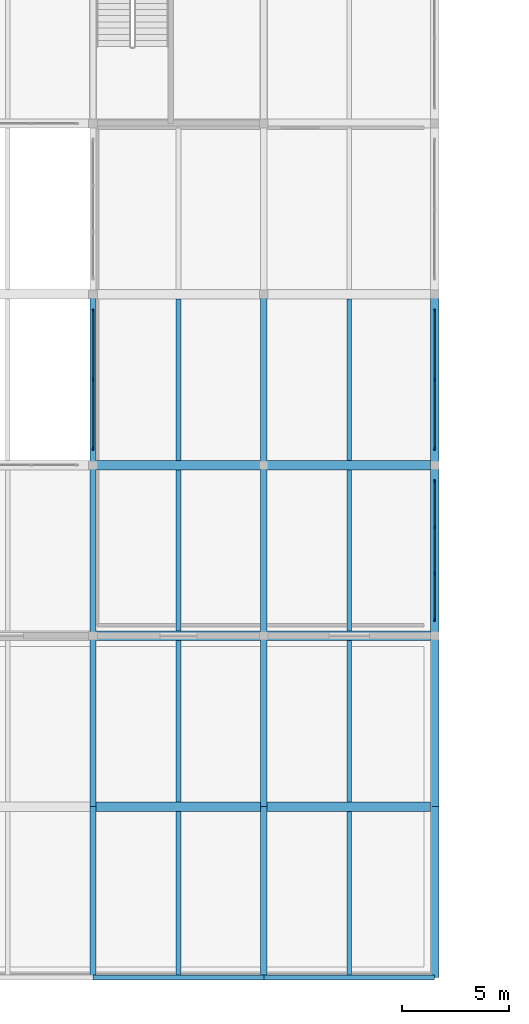
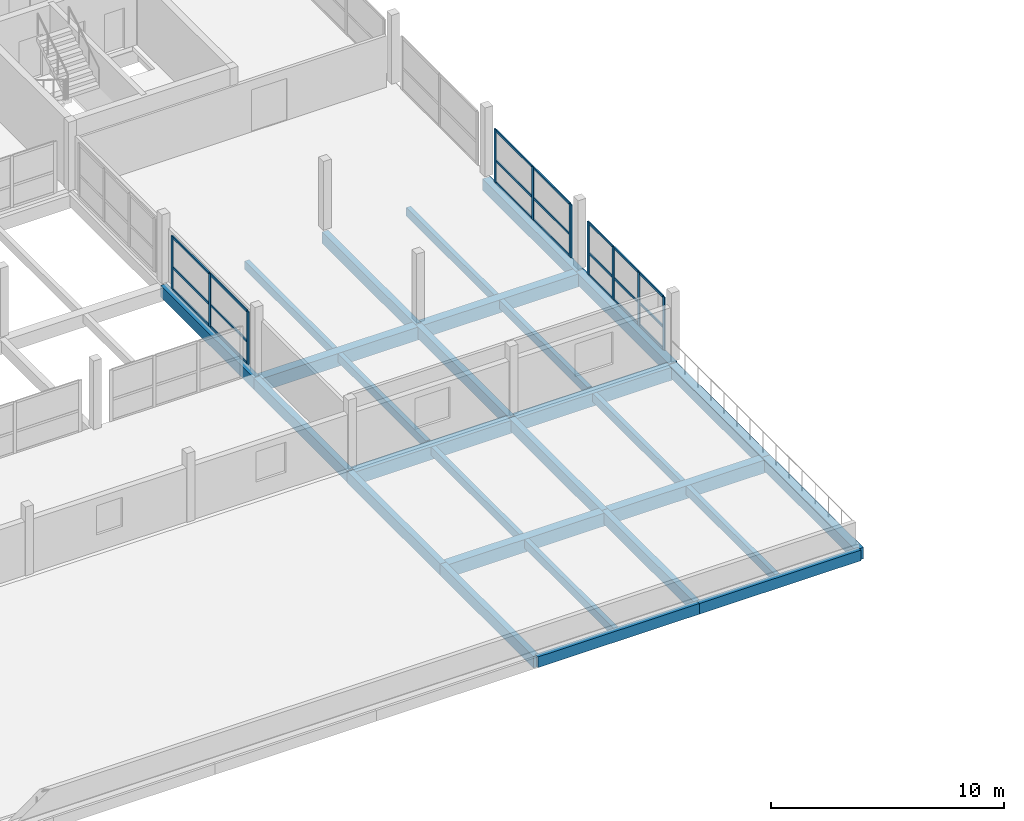
# One storey, part 11 of 51: 31 members, 28 beams, 3 elements without a shape of their own.
"""IFC4 building model written with IfcOpenShell, lengths in metres."""

from ifc_helpers import new_model, si_unit, direction, frame, origin, origin_2d, place, context, subcontext, project, spatial, rectangle, extrude, material, material_profile, profile_set, type_object, element, aggregate, save


model = new_model("IFC4")

# Units and contexts
model_context = context("Model", 3, precision=1e-05, world=origin(), true_north=direction((0.0, 1.0)))
body_context = subcontext(model_context, "Body", "Model", "MODEL_VIEW")
ifc_project = project(units=[si_unit("LENGTHUNIT", "METRE"), si_unit("AREAUNIT", "SQUARE_METRE"), si_unit("VOLUMEUNIT", "CUBIC_METRE"), si_unit("PLANEANGLEUNIT", "RADIAN"), si_unit("MASSUNIT", "GRAM", prefix="KILO")], contexts=[model_context])

# Site, building, storey
site_placement = place(None, origin())
site = spatial("IfcSite", under=ifc_project, at=site_placement, CompositionType="ELEMENT")
building_placement = place(site_placement, origin())
building = spatial("IfcBuilding", under=site, at=building_placement, Name="Vharandega Faculty of Natural Sciences", CompositionType="ELEMENT")
storey_placement = place(building_placement, frame((0.0, 0.0, 18.0)))
storey = spatial("IfcBuildingStorey", under=building, at=storey_placement, Name="L04", CompositionType="ELEMENT", Elevation=18.0)

# Curtain wall, members
ifc_material_1 = material(Name="Aluminium and solar-control glass curtain wall", Category="aluminium")
curtain_wall_type_1 = type_object("IfcCurtainWallType", Name="Unitised Curtain Wall System CW-06", PredefinedType="NOTDEFINED", material=ifc_material_1)
curtain_wall_1_placement = place(storey_placement, origin())
curtain_wall_1 = element("IfcCurtainWall", 1, at=curtain_wall_1_placement, inside=storey, type_object=curtain_wall_type_1, Name="Curtain Wall CW-L04-173", PredefinedType="NOTDEFINED")
ifc_material_2 = material(Name="Thermally broken aluminium 6063-T6", Category="aluminium")
ifc_material_profile_1 = material_profile(ifc_material_2, rectangle(XDim=0.06005859375, YDim=0.159912109375, at=origin_2d()), Name="ALU 60x160")
ifc_profile_set_1 = profile_set([ifc_material_profile_1], Name="Thermally broken aluminium 6063-T6")
member_type_1 = type_object("IfcMemberType", Name="CW Mullion 60x160", PredefinedType="MULLION", material=ifc_profile_set_1)
member_1_placement = place(storey_placement, frame((48.0, 16.77001953125, 0.0), z_axis=(0.0, 0.0, 1.0), x_axis=(-1.0, 0.0, 0.0)))
member_1 = element("IfcMember", 2, at=member_1_placement, type_object=member_type_1, Name="CW-06 mullion 1", PredefinedType="MULLION", context=body_context, shape_type="SweptSolid", body=[
    extrude(rectangle(XDim=0.06005859375, YDim=0.159912109375, at=origin_2d()), origin(), (0.0, 0.0, 1.0), 2.780029296875),
])
member_2_placement = place(storey_placement, frame((48.0, 18.913330078125, 0.0), z_axis=(0.0, 0.0, 1.0), x_axis=(-1.0, 0.0, 0.0)))
member_2 = element("IfcMember", 3, at=member_2_placement, type_object=member_type_1, Name="CW-06 mullion 2", PredefinedType="MULLION", context=body_context, shape_type="SweptSolid", body=[
    extrude(rectangle(XDim=0.06005859375, YDim=0.159912109375, at=origin_2d()), origin(), (0.0, 0.0, 1.0), 2.780029296875),
])
member_3_placement = place(storey_placement, frame((48.0, 21.086669921875, 0.0), z_axis=(0.0, 0.0, 1.0), x_axis=(-1.0, 0.0, 0.0)))
member_3 = element("IfcMember", 4, at=member_3_placement, type_object=member_type_1, Name="CW-06 mullion 3", PredefinedType="MULLION", context=body_context, shape_type="SweptSolid", body=[
    extrude(rectangle(XDim=0.06005859375, YDim=0.159912109375, at=origin_2d()), origin(), (0.0, 0.0, 1.0), 2.780029296875),
])
member_4_placement = place(storey_placement, frame((48.0, 23.22998046875, 0.0), z_axis=(0.0, 0.0, 1.0), x_axis=(-1.0, 0.0, 0.0)))
member_4 = element("IfcMember", 5, at=member_4_placement, type_object=member_type_1, Name="CW-06 mullion 4", PredefinedType="MULLION", context=body_context, shape_type="SweptSolid", body=[
    extrude(rectangle(XDim=0.06005859375, YDim=0.159912109375, at=origin_2d()), origin(), (0.0, 0.0, 1.0), 2.780029296875),
])

ifc_material_3 = material(Name="Aluminium and solar-control glass curtain wall", Category="aluminium")
curtain_wall_type_2 = type_object("IfcCurtainWallType", Name="Unitised Curtain Wall System CW-07", PredefinedType="NOTDEFINED", material=ifc_material_3)
curtain_wall_2_placement = place(storey_placement, origin())
curtain_wall_2 = element("IfcCurtainWall", 6, at=curtain_wall_2_placement, inside=storey, type_object=curtain_wall_type_2, Name="Curtain Wall CW-L04-174", PredefinedType="NOTDEFINED")
member_5_placement = place(storey_placement, frame((48.0, 24.77001953125, 0.0), z_axis=(0.0, 0.0, 1.0), x_axis=(-1.0, 0.0, 0.0)))
member_5 = element("IfcMember", 7, at=member_5_placement, type_object=member_type_1, Name="CW-07 mullion 1", PredefinedType="MULLION", context=body_context, shape_type="SweptSolid", body=[
    extrude(rectangle(XDim=0.06005859375, YDim=0.159912109375, at=origin_2d()), origin(), (0.0, 0.0, 1.0), 2.780029296875),
])
member_6_placement = place(storey_placement, frame((48.0, 28.0, 0.0), z_axis=(0.0, 0.0, 1.0), x_axis=(-1.0, 0.0, 0.0)))
member_6 = element("IfcMember", 8, at=member_6_placement, type_object=member_type_1, Name="CW-07 mullion 2", PredefinedType="MULLION", context=body_context, shape_type="SweptSolid", body=[
    extrude(rectangle(XDim=0.06005859375, YDim=0.159912109375, at=origin_2d()), origin(), (0.0, 0.0, 1.0), 2.780029296875),
])
member_7_placement = place(storey_placement, frame((48.0, 31.22998046875, 0.0), z_axis=(0.0, 0.0, 1.0), x_axis=(-1.0, 0.0, 0.0)))
member_7 = element("IfcMember", 9, at=member_7_placement, type_object=member_type_1, Name="CW-07 mullion 3", PredefinedType="MULLION", context=body_context, shape_type="SweptSolid", body=[
    extrude(rectangle(XDim=0.06005859375, YDim=0.159912109375, at=origin_2d()), origin(), (0.0, 0.0, 1.0), 2.780029296875),
])

ifc_material_4 = material(Name="Aluminium and solar-control glass curtain wall", Category="aluminium")
curtain_wall_type_3 = type_object("IfcCurtainWallType", Name="Unitised Curtain Wall System CW-23", PredefinedType="NOTDEFINED", material=ifc_material_4)
curtain_wall_3_placement = place(storey_placement, origin())
curtain_wall_3 = element("IfcCurtainWall", 10, at=curtain_wall_3_placement, inside=storey, type_object=curtain_wall_type_3, Name="Curtain Wall CW-L04-190", PredefinedType="NOTDEFINED")
member_8_placement = place(storey_placement, frame((32.0, 24.77001953125, 0.0), z_axis=(0.0, 0.0, 1.0), x_axis=(-1.0, 0.0, 0.0)))
member_8 = element("IfcMember", 11, at=member_8_placement, type_object=member_type_1, Name="CW-23 mullion 1", PredefinedType="MULLION", context=body_context, shape_type="SweptSolid", body=[
    extrude(rectangle(XDim=0.06005859375, YDim=0.159912109375, at=origin_2d()), origin(), (0.0, 0.0, 1.0), 2.780029296875),
])
member_9_placement = place(storey_placement, frame((32.0, 28.0, 0.0), z_axis=(0.0, 0.0, 1.0), x_axis=(-1.0, 0.0, 0.0)))
member_9 = element("IfcMember", 12, at=member_9_placement, type_object=member_type_1, Name="CW-23 mullion 2", PredefinedType="MULLION", context=body_context, shape_type="SweptSolid", body=[
    extrude(rectangle(XDim=0.06005859375, YDim=0.159912109375, at=origin_2d()), origin(), (0.0, 0.0, 1.0), 2.780029296875),
])
member_10_placement = place(storey_placement, frame((32.0, 31.22998046875, 0.0), z_axis=(0.0, 0.0, 1.0), x_axis=(-1.0, 0.0, 0.0)))
member_10 = element("IfcMember", 13, at=member_10_placement, type_object=member_type_1, Name="CW-23 mullion 3", PredefinedType="MULLION", context=body_context, shape_type="SweptSolid", body=[
    extrude(rectangle(XDim=0.06005859375, YDim=0.159912109375, at=origin_2d()), origin(), (0.0, 0.0, 1.0), 2.780029296875),
])

# Member
ifc_material_5 = material(Name="Thermally broken aluminium 6063-T6", Category="aluminium")
ifc_material_profile_2 = material_profile(ifc_material_5, rectangle(XDim=0.06005859375, YDim=0.1201171875, at=origin_2d()), Name="ALU 60x120")
ifc_profile_set_2 = profile_set([ifc_material_profile_2], Name="Thermally broken aluminium 6063-T6")
member_type_2 = type_object("IfcMemberType", Name="CW Transom 60x120", PredefinedType="USERDEFINED", material=ifc_profile_set_2)
member_11_placement = place(storey_placement, frame((48.0, 16.800048828125, 0.030029296875), z_axis=(0.0, 1.0, 0.0), x_axis=(-1.0, 0.0, 0.0)))
member_11 = element("IfcMember", 14, at=member_11_placement, type_object=member_type_2, Name="CW-06 transom 1.1", ObjectType="TRANSOM", PredefinedType="USERDEFINED", context=body_context, shape_type="SweptSolid", body=[
    extrude(rectangle(XDim=0.06005859375, YDim=0.1201171875, at=origin_2d()), origin(), (0.0, 0.0, 1.0), 2.083251953125),
])

member_12_placement = place(storey_placement, frame((48.0, 16.800048828125, 1.16748046875), z_axis=(0.0, 1.0, 0.0), x_axis=(-1.0, 0.0, 0.0)))
member_12 = element("IfcMember", 15, at=member_12_placement, type_object=member_type_2, Name="CW-06 transom 1.2", ObjectType="TRANSOM", PredefinedType="USERDEFINED", context=body_context, shape_type="SweptSolid", body=[
    extrude(rectangle(XDim=0.06005859375, YDim=0.1201171875, at=origin_2d()), origin(), (0.0, 0.0, 1.0), 2.083251953125),
])

member_13_placement = place(storey_placement, frame((48.0, 16.800048828125, 2.75), z_axis=(0.0, 1.0, 0.0), x_axis=(-1.0, 0.0, 0.0)))
member_13 = element("IfcMember", 16, at=member_13_placement, type_object=member_type_2, Name="CW-06 transom 1.3", ObjectType="TRANSOM", PredefinedType="USERDEFINED", context=body_context, shape_type="SweptSolid", body=[
    extrude(rectangle(XDim=0.06005859375, YDim=0.1201171875, at=origin_2d()), origin(), (0.0, 0.0, 1.0), 2.083251953125),
])

member_14_placement = place(storey_placement, frame((48.0, 18.943359375, 0.030029296875), z_axis=(0.0, 1.0, 0.0), x_axis=(-1.0, 0.0, 0.0)))
member_14 = element("IfcMember", 17, at=member_14_placement, type_object=member_type_2, Name="CW-06 transom 2.1", ObjectType="TRANSOM", PredefinedType="USERDEFINED", context=body_context, shape_type="SweptSolid", body=[
    extrude(rectangle(XDim=0.06005859375, YDim=0.1201171875, at=origin_2d()), origin(), (0.0, 0.0, 1.0), 2.11328125),
])

member_15_placement = place(storey_placement, frame((48.0, 18.943359375, 1.16748046875), z_axis=(0.0, 1.0, 0.0), x_axis=(-1.0, 0.0, 0.0)))
member_15 = element("IfcMember", 18, at=member_15_placement, type_object=member_type_2, Name="CW-06 transom 2.2", ObjectType="TRANSOM", PredefinedType="USERDEFINED", context=body_context, shape_type="SweptSolid", body=[
    extrude(rectangle(XDim=0.06005859375, YDim=0.1201171875, at=origin_2d()), origin(), (0.0, 0.0, 1.0), 2.11328125),
])

member_16_placement = place(storey_placement, frame((48.0, 18.943359375, 2.75), z_axis=(0.0, 1.0, 0.0), x_axis=(-1.0, 0.0, 0.0)))
member_16 = element("IfcMember", 19, at=member_16_placement, type_object=member_type_2, Name="CW-06 transom 2.3", ObjectType="TRANSOM", PredefinedType="USERDEFINED", context=body_context, shape_type="SweptSolid", body=[
    extrude(rectangle(XDim=0.06005859375, YDim=0.1201171875, at=origin_2d()), origin(), (0.0, 0.0, 1.0), 2.11328125),
])

member_17_placement = place(storey_placement, frame((48.0, 21.11669921875, 0.030029296875), z_axis=(0.0, 1.0, 0.0), x_axis=(-1.0, 0.0, 0.0)))
member_17 = element("IfcMember", 20, at=member_17_placement, type_object=member_type_2, Name="CW-06 transom 3.1", ObjectType="TRANSOM", PredefinedType="USERDEFINED", context=body_context, shape_type="SweptSolid", body=[
    extrude(rectangle(XDim=0.06005859375, YDim=0.1201171875, at=origin_2d()), origin(), (0.0, 0.0, 1.0), 2.083251953125),
])

member_18_placement = place(storey_placement, frame((48.0, 21.11669921875, 1.16748046875), z_axis=(0.0, 1.0, 0.0), x_axis=(-1.0, 0.0, 0.0)))
member_18 = element("IfcMember", 21, at=member_18_placement, type_object=member_type_2, Name="CW-06 transom 3.2", ObjectType="TRANSOM", PredefinedType="USERDEFINED", context=body_context, shape_type="SweptSolid", body=[
    extrude(rectangle(XDim=0.06005859375, YDim=0.1201171875, at=origin_2d()), origin(), (0.0, 0.0, 1.0), 2.083251953125),
])

member_19_placement = place(storey_placement, frame((48.0, 21.11669921875, 2.75), z_axis=(0.0, 1.0, 0.0), x_axis=(-1.0, 0.0, 0.0)))
member_19 = element("IfcMember", 22, at=member_19_placement, type_object=member_type_2, Name="CW-06 transom 3.3", ObjectType="TRANSOM", PredefinedType="USERDEFINED", context=body_context, shape_type="SweptSolid", body=[
    extrude(rectangle(XDim=0.06005859375, YDim=0.1201171875, at=origin_2d()), origin(), (0.0, 0.0, 1.0), 2.083251953125),
])

aggregate(curtain_wall_1, [member_1, member_2, member_3, member_4, member_11, member_12, member_13, member_14, member_15, member_16, member_17, member_18, member_19])

member_20_placement = place(storey_placement, frame((48.0, 24.800048828125, 0.030029296875), z_axis=(0.0, 1.0, 0.0), x_axis=(-1.0, 0.0, 0.0)))
member_20 = element("IfcMember", 23, at=member_20_placement, type_object=member_type_2, Name="CW-07 transom 1.1", ObjectType="TRANSOM", PredefinedType="USERDEFINED", context=body_context, shape_type="SweptSolid", body=[
    extrude(rectangle(XDim=0.06005859375, YDim=0.1201171875, at=origin_2d()), origin(), (0.0, 0.0, 1.0), 3.169921875),
])

member_21_placement = place(storey_placement, frame((48.0, 24.800048828125, 1.16748046875), z_axis=(0.0, 1.0, 0.0), x_axis=(-1.0, 0.0, 0.0)))
member_21 = element("IfcMember", 24, at=member_21_placement, type_object=member_type_2, Name="CW-07 transom 1.2", ObjectType="TRANSOM", PredefinedType="USERDEFINED", context=body_context, shape_type="SweptSolid", body=[
    extrude(rectangle(XDim=0.06005859375, YDim=0.1201171875, at=origin_2d()), origin(), (0.0, 0.0, 1.0), 3.169921875),
])

member_22_placement = place(storey_placement, frame((48.0, 24.800048828125, 2.75), z_axis=(0.0, 1.0, 0.0), x_axis=(-1.0, 0.0, 0.0)))
member_22 = element("IfcMember", 25, at=member_22_placement, type_object=member_type_2, Name="CW-07 transom 1.3", ObjectType="TRANSOM", PredefinedType="USERDEFINED", context=body_context, shape_type="SweptSolid", body=[
    extrude(rectangle(XDim=0.06005859375, YDim=0.1201171875, at=origin_2d()), origin(), (0.0, 0.0, 1.0), 3.169921875),
])

member_23_placement = place(storey_placement, frame((48.0, 28.030029296875, 0.030029296875), z_axis=(0.0, 1.0, 0.0), x_axis=(-1.0, 0.0, 0.0)))
member_23 = element("IfcMember", 26, at=member_23_placement, type_object=member_type_2, Name="CW-07 transom 2.1", ObjectType="TRANSOM", PredefinedType="USERDEFINED", context=body_context, shape_type="SweptSolid", body=[
    extrude(rectangle(XDim=0.06005859375, YDim=0.1201171875, at=origin_2d()), origin(), (0.0, 0.0, 1.0), 3.169921875),
])

member_24_placement = place(storey_placement, frame((48.0, 28.030029296875, 1.16748046875), z_axis=(0.0, 1.0, 0.0), x_axis=(-1.0, 0.0, 0.0)))
member_24 = element("IfcMember", 27, at=member_24_placement, type_object=member_type_2, Name="CW-07 transom 2.2", ObjectType="TRANSOM", PredefinedType="USERDEFINED", context=body_context, shape_type="SweptSolid", body=[
    extrude(rectangle(XDim=0.06005859375, YDim=0.1201171875, at=origin_2d()), origin(), (0.0, 0.0, 1.0), 3.169921875),
])

member_25_placement = place(storey_placement, frame((48.0, 28.030029296875, 2.75), z_axis=(0.0, 1.0, 0.0), x_axis=(-1.0, 0.0, 0.0)))
member_25 = element("IfcMember", 28, at=member_25_placement, type_object=member_type_2, Name="CW-07 transom 2.3", ObjectType="TRANSOM", PredefinedType="USERDEFINED", context=body_context, shape_type="SweptSolid", body=[
    extrude(rectangle(XDim=0.06005859375, YDim=0.1201171875, at=origin_2d()), origin(), (0.0, 0.0, 1.0), 3.169921875),
])

aggregate(curtain_wall_2, [member_5, member_6, member_7, member_20, member_21, member_22, member_23, member_24, member_25])

member_26_placement = place(storey_placement, frame((32.0, 24.800048828125, 0.030029296875), z_axis=(0.0, 1.0, 0.0), x_axis=(-1.0, 0.0, 0.0)))
member_26 = element("IfcMember", 29, at=member_26_placement, type_object=member_type_2, Name="CW-23 transom 1.1", ObjectType="TRANSOM", PredefinedType="USERDEFINED", context=body_context, shape_type="SweptSolid", body=[
    extrude(rectangle(XDim=0.06005859375, YDim=0.1201171875, at=origin_2d()), origin(), (0.0, 0.0, 1.0), 3.169921875),
])

member_27_placement = place(storey_placement, frame((32.0, 24.800048828125, 1.16748046875), z_axis=(0.0, 1.0, 0.0), x_axis=(-1.0, 0.0, 0.0)))
member_27 = element("IfcMember", 30, at=member_27_placement, type_object=member_type_2, Name="CW-23 transom 1.2", ObjectType="TRANSOM", PredefinedType="USERDEFINED", context=body_context, shape_type="SweptSolid", body=[
    extrude(rectangle(XDim=0.06005859375, YDim=0.1201171875, at=origin_2d()), origin(), (0.0, 0.0, 1.0), 3.169921875),
])

member_28_placement = place(storey_placement, frame((32.0, 24.800048828125, 2.75), z_axis=(0.0, 1.0, 0.0), x_axis=(-1.0, 0.0, 0.0)))
member_28 = element("IfcMember", 31, at=member_28_placement, type_object=member_type_2, Name="CW-23 transom 1.3", ObjectType="TRANSOM", PredefinedType="USERDEFINED", context=body_context, shape_type="SweptSolid", body=[
    extrude(rectangle(XDim=0.06005859375, YDim=0.1201171875, at=origin_2d()), origin(), (0.0, 0.0, 1.0), 3.169921875),
])

member_29_placement = place(storey_placement, frame((32.0, 28.030029296875, 0.030029296875), z_axis=(0.0, 1.0, 0.0), x_axis=(-1.0, 0.0, 0.0)))
member_29 = element("IfcMember", 32, at=member_29_placement, type_object=member_type_2, Name="CW-23 transom 2.1", ObjectType="TRANSOM", PredefinedType="USERDEFINED", context=body_context, shape_type="SweptSolid", body=[
    extrude(rectangle(XDim=0.06005859375, YDim=0.1201171875, at=origin_2d()), origin(), (0.0, 0.0, 1.0), 3.169921875),
])

member_30_placement = place(storey_placement, frame((32.0, 28.030029296875, 1.16748046875), z_axis=(0.0, 1.0, 0.0), x_axis=(-1.0, 0.0, 0.0)))
member_30 = element("IfcMember", 33, at=member_30_placement, type_object=member_type_2, Name="CW-23 transom 2.2", ObjectType="TRANSOM", PredefinedType="USERDEFINED", context=body_context, shape_type="SweptSolid", body=[
    extrude(rectangle(XDim=0.06005859375, YDim=0.1201171875, at=origin_2d()), origin(), (0.0, 0.0, 1.0), 3.169921875),
])

member_31_placement = place(storey_placement, frame((32.0, 28.030029296875, 2.75), z_axis=(0.0, 1.0, 0.0), x_axis=(-1.0, 0.0, 0.0)))
member_31 = element("IfcMember", 34, at=member_31_placement, type_object=member_type_2, Name="CW-23 transom 2.3", ObjectType="TRANSOM", PredefinedType="USERDEFINED", context=body_context, shape_type="SweptSolid", body=[
    extrude(rectangle(XDim=0.06005859375, YDim=0.1201171875, at=origin_2d()), origin(), (0.0, 0.0, 1.0), 3.169921875),
])

aggregate(curtain_wall_3, [member_8, member_9, member_10, member_26, member_27, member_28, member_29, member_30, member_31])

# Beams
ifc_material_6 = material(Name="Glulam GL28h", Category="wood")
ifc_material_profile_3 = material_profile(ifc_material_6, rectangle(XDim=0.300048828125, YDim=0.60009765625, at=origin_2d()), Name="GL28h 300x600")
ifc_profile_set_3 = profile_set([ifc_material_profile_3], Name="Glulam GL28h")
beam_type_1 = type_object("IfcBeamType", Name="Glulam Floor Beam 300x600", PredefinedType="BEAM", material=ifc_profile_set_3)
for number, where, z_axis, x_axis, name in (
    (35, (32.0, 0.0, -0.56005859375), (0.0, 1.0, 0.0), (-1.0, 0.0, 0.0), "Beam L04 5/A-B"),
    (36, (32.0, 8.0, -0.56005859375), (0.0, 1.0, 0.0), (-1.0, 0.0, 0.0), "Beam L04 5/B-C"),
    (37, (32.0, 16.0, -0.52001953125), (0.0, 1.0, 0.0), (-1.0, 0.0, 0.0), "Beam L04 5/C-D"),
    (38, (32.0, 24.0, -0.52001953125), (0.0, 1.0, 0.0), (-1.0, 0.0, 0.0), "Beam L04 5/D-E"),
    (39, (40.0, 0.0, -0.56005859375), (0.0, 1.0, 0.0), (-1.0, 0.0, 0.0), "Beam L04 6/A-B"),
    (40, (40.0, 8.0, -0.56005859375), (0.0, 1.0, 0.0), (-1.0, 0.0, 0.0), "Beam L04 6/B-C"),
    (41, (40.0, 16.0, -0.52001953125), (0.0, 1.0, 0.0), (-1.0, 0.0, 0.0), "Beam L04 6/C-D"),
    (42, (40.0, 24.0, -0.52001953125), (0.0, 1.0, 0.0), (-1.0, 0.0, 0.0), "Beam L04 6/D-E"),
):
    element("IfcBeam", number, at=place(storey_placement, frame(where, z_axis=z_axis, x_axis=x_axis)), inside=storey, type_object=beam_type_1, Name=name, PredefinedType="BEAM", context=body_context, shape_type="SweptSolid", body=[
        extrude(rectangle(XDim=0.300048828125, YDim=0.60009765625, at=origin_2d()), origin(), (0.0, 0.0, 1.0), 8.0),
    ])
ifc_material_7 = material(Name="Glulam GL32h", Category="wood")
ifc_material_profile_4 = material_profile(ifc_material_7, rectangle(XDim=0.43994140625, YDim=0.679931640625, at=origin_2d()), Name="GL32h 440x680")
ifc_profile_set_4 = profile_set([ifc_material_profile_4], Name="Glulam GL32h")
beam_type_2 = type_object("IfcBeamType", Name="Glulam Girder 440x680", PredefinedType="BEAM", material=ifc_profile_set_4)
for number, where, z_axis, x_axis, name in (
    (43, (32.0, 8.0, -0.60009765625), (1.0, 0.0, 0.0), (0.0, 1.0, 0.0), "Beam L04 B/5-6"),
    (44, (40.0, 8.0, -0.60009765625), (1.0, 0.0, 0.0), (0.0, 1.0, 0.0), "Beam L04 B/6-7"),
    (45, (32.0, 16.0, -0.60009765625), (1.0, 0.0, 0.0), (0.0, 1.0, 0.0), "Beam L04 C/5-6"),
    (46, (40.0, 16.0, -0.60009765625), (1.0, 0.0, 0.0), (0.0, 1.0, 0.0), "Beam L04 C/6-7"),
    (47, (32.0, 24.0, -0.56005859375), (1.0, 0.0, 0.0), (0.0, 1.0, 0.0), "Beam L04 D/5-6"),
    (48, (40.0, 24.0, -0.56005859375), (1.0, 0.0, 0.0), (0.0, 1.0, 0.0), "Beam L04 D/6-7"),
):
    element("IfcBeam", number, at=place(storey_placement, frame(where, z_axis=z_axis, x_axis=x_axis)), inside=storey, type_object=beam_type_2, Name=name, PredefinedType="BEAM", context=body_context, shape_type="SweptSolid", body=[
        extrude(rectangle(XDim=0.43994140625, YDim=0.679931640625, at=origin_2d()), origin(), (0.0, 0.0, 1.0), 8.0),
    ])
ifc_material_8 = material(Name="Glulam GL28h", Category="wood")
ifc_material_profile_5 = material_profile(ifc_material_8, rectangle(XDim=0.219970703125, YDim=0.43994140625, at=origin_2d()), Name="GL28h 220x440")
ifc_profile_set_5 = profile_set([ifc_material_profile_5], Name="Glulam GL28h")
beam_type_3 = type_object("IfcBeamType", Name="Glulam Secondary Joist 220x440", PredefinedType="JOIST", material=ifc_profile_set_5)
beam_1_placement = place(storey_placement, frame((36.0, 0.1201171875, -0.47998046875), z_axis=(0.0, 1.0, 0.0), x_axis=(-1.0, 0.0, 0.0)))
element("IfcBeam", 49, at=beam_1_placement, inside=storey, type_object=beam_type_3, Name="Secondary Joist L04 5-6/A-B", PredefinedType="JOIST", context=body_context, shape_type="SweptSolid", body=[
    extrude(rectangle(XDim=0.219970703125, YDim=0.43994140625, at=origin_2d()), origin(), (0.0, 0.0, 1.0), 7.659912109375),
])
for number, where, z_axis, x_axis, name in (
    (50, (36.0, 8.219970703125, -0.47998046875), (0.0, 1.0, 0.0), (-1.0, 0.0, 0.0), "Secondary Joist L04 5-6/B-C"),
    (51, (36.0, 16.219970703125, -0.43994140625), (0.0, 1.0, 0.0), (-1.0, 0.0, 0.0), "Secondary Joist L04 5-6/C-D"),
    (52, (36.0, 24.219970703125, -0.43994140625), (0.0, 1.0, 0.0), (-1.0, 0.0, 0.0), "Secondary Joist L04 5-6/D-E"),
):
    element("IfcBeam", number, at=place(storey_placement, frame(where, z_axis=z_axis, x_axis=x_axis)), inside=storey, type_object=beam_type_3, Name=name, PredefinedType="JOIST", context=body_context, shape_type="SweptSolid", body=[
        extrude(rectangle(XDim=0.219970703125, YDim=0.43994140625, at=origin_2d()), origin(), (0.0, 0.0, 1.0), 7.56005859375),
    ])
beam_2_placement = place(storey_placement, frame((44.0, 0.1201171875, -0.47998046875), z_axis=(0.0, 1.0, 0.0), x_axis=(-1.0, 0.0, 0.0)))
element("IfcBeam", 53, at=beam_2_placement, inside=storey, type_object=beam_type_3, Name="Secondary Joist L04 6-7/A-B", PredefinedType="JOIST", context=body_context, shape_type="SweptSolid", body=[
    extrude(rectangle(XDim=0.219970703125, YDim=0.43994140625, at=origin_2d()), origin(), (0.0, 0.0, 1.0), 7.659912109375),
])
for number, where, z_axis, x_axis, name in (
    (54, (44.0, 8.219970703125, -0.47998046875), (0.0, 1.0, 0.0), (-1.0, 0.0, 0.0), "Secondary Joist L04 6-7/B-C"),
    (55, (44.0, 16.219970703125, -0.43994140625), (0.0, 1.0, 0.0), (-1.0, 0.0, 0.0), "Secondary Joist L04 6-7/C-D"),
    (56, (44.0, 24.219970703125, -0.43994140625), (0.0, 1.0, 0.0), (-1.0, 0.0, 0.0), "Secondary Joist L04 6-7/D-E"),
):
    element("IfcBeam", number, at=place(storey_placement, frame(where, z_axis=z_axis, x_axis=x_axis)), inside=storey, type_object=beam_type_3, Name=name, PredefinedType="JOIST", context=body_context, shape_type="SweptSolid", body=[
        extrude(rectangle(XDim=0.219970703125, YDim=0.43994140625, at=origin_2d()), origin(), (0.0, 0.0, 1.0), 7.56005859375),
    ])
ifc_material_9 = material(Name="Glulam GL28h", Category="wood")
ifc_material_profile_6 = material_profile(ifc_material_9, rectangle(XDim=0.239990234375, YDim=0.56005859375, at=origin_2d()), Name="GL28h 240x560")
ifc_profile_set_6 = profile_set([ifc_material_profile_6], Name="Glulam GL28h")
beam_type_4 = type_object("IfcBeamType", Name="Glulam Spandrel Edge Beam 240x560", PredefinedType="SPANDREL", material=ifc_profile_set_6)
for number, where, z_axis, x_axis, name in (
    (57, (32.0, 0.0, -0.5400390625), (1.0, 0.0, 0.0), (0.0, 1.0, 0.0), "Beam L04 A/5-6"),
    (58, (40.0, 0.0, -0.5400390625), (1.0, 0.0, 0.0), (0.0, 1.0, 0.0), "Beam L04 A/6-7"),
):
    element("IfcBeam", number, at=place(storey_placement, frame(where, z_axis=z_axis, x_axis=x_axis)), inside=storey, type_object=beam_type_4, Name=name, PredefinedType="SPANDREL", context=body_context, shape_type="SweptSolid", body=[
        extrude(rectangle(XDim=0.239990234375, YDim=0.56005859375, at=origin_2d()), origin(), (0.0, 0.0, 1.0), 8.0),
    ])
ifc_material_10 = material(Name="Glulam GL32h", Category="wood")
ifc_material_profile_7 = material_profile(ifc_material_10, rectangle(XDim=0.39990234375, YDim=0.60009765625, at=origin_2d()), Name="GL32h 400x600")
ifc_profile_set_7 = profile_set([ifc_material_profile_7], Name="Glulam GL32h")
beam_type_5 = type_object("IfcBeamType", Name="Glulam Spine Girder 400x600", PredefinedType="BEAM", material=ifc_profile_set_7)
for number, where, z_axis, x_axis, name in (
    (59, (48.0, 0.0, -0.56005859375), (0.0, 1.0, 0.0), (-1.0, 0.0, 0.0), "Beam L04 7/A-B"),
    (60, (48.0, 8.0, -0.56005859375), (0.0, 1.0, 0.0), (-1.0, 0.0, 0.0), "Beam L04 7/B-C"),
    (61, (48.0, 16.0, -0.52001953125), (0.0, 1.0, 0.0), (-1.0, 0.0, 0.0), "Beam L04 7/C-D"),
    (62, (48.0, 24.0, -0.52001953125), (0.0, 1.0, 0.0), (-1.0, 0.0, 0.0), "Beam L04 7/D-E"),
):
    element("IfcBeam", number, at=place(storey_placement, frame(where, z_axis=z_axis, x_axis=x_axis)), inside=storey, type_object=beam_type_5, Name=name, PredefinedType="BEAM", context=body_context, shape_type="SweptSolid", body=[
        extrude(rectangle(XDim=0.39990234375, YDim=0.60009765625, at=origin_2d()), origin(), (0.0, 0.0, 1.0), 8.0),
    ])

save(model, "model.ifc")
